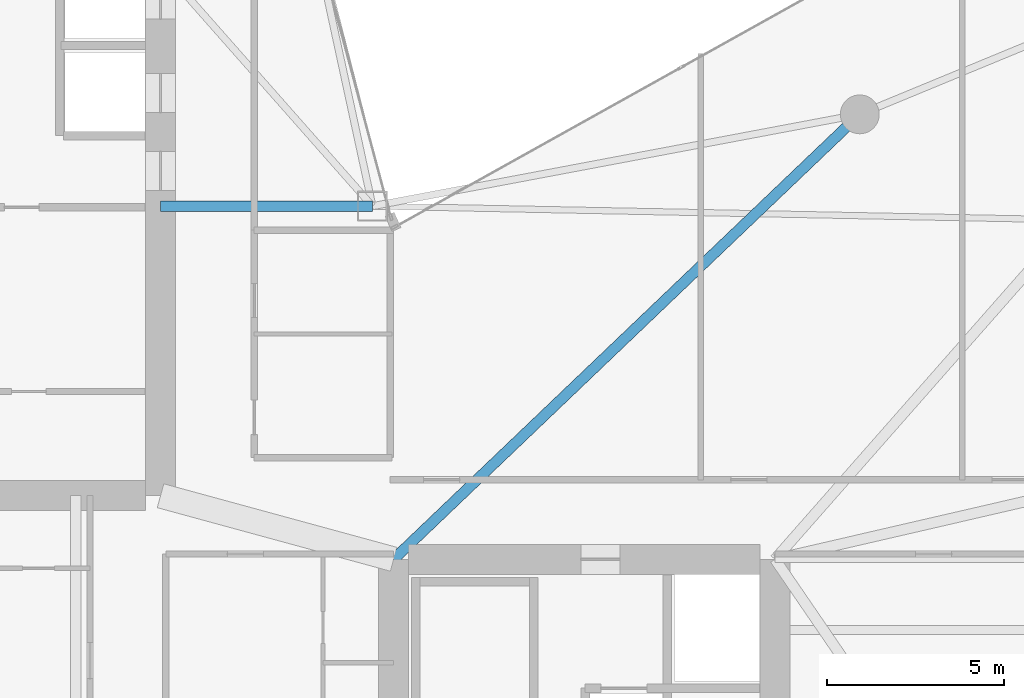
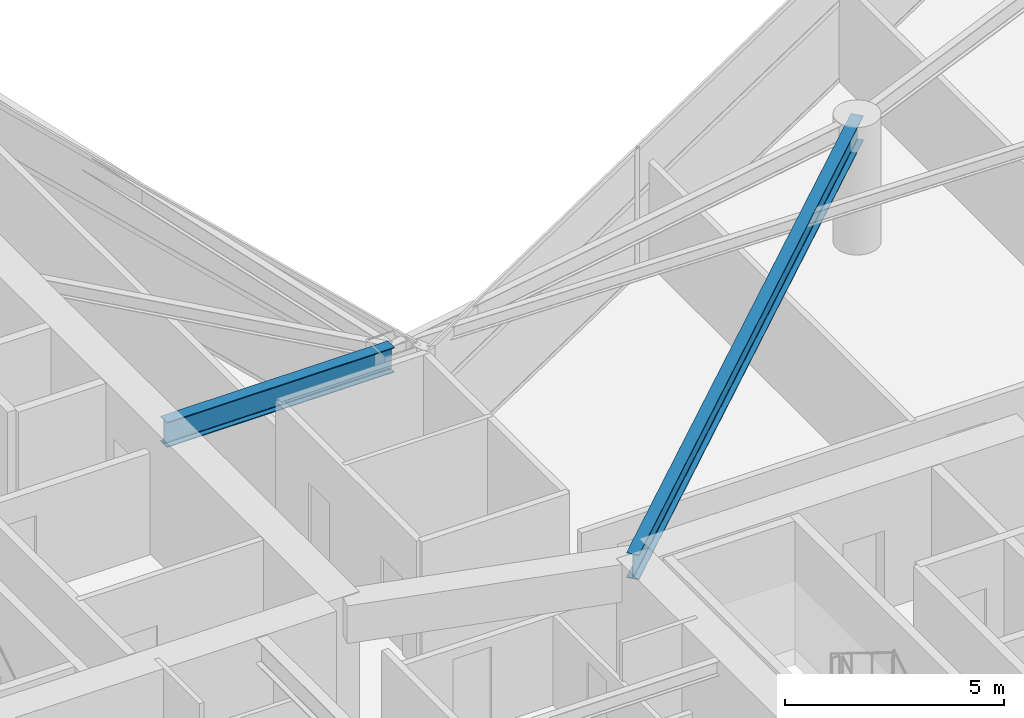
# One storey, part 9 of 28: 2 beams.
"""IFC4 building model written with IfcOpenShell, lengths in metres."""

import ifcopenshell
import ifcopenshell.guid

model = None  # the IFC model being written
_history = None  # IfcOwnerHistory: only IFC2X3 demands one
_inside = {}  # id of a spatial element -> (the spatial element, [elements in it])
_under = {}  # id of a project, library or spatial element -> (it, [spatial elements below it])
_declared = {}  # id of a project -> (the project, [libraries it declares])
_typed = {}  # id of a type object -> (the type object, [elements of that type])
_made_of = {}  # id of a material, layer set ... -> (it, [elements and type objects made of it])


def new_model(schema):
    """Start an empty IFC model of exactly this schema.

    Asked for "IFC4X3", IfcOpenShell would pick the latest addendum, in which some entities
    have other attributes; the version numbers below select the first issue.
    IFC2X3 requires an IfcOwnerHistory on every rooted entity: one is made here for all.
    """
    global model, _history
    if schema == "IFC4X3":
        model = ifcopenshell.file(schema_version=(4, 3, 0, 0))
    else:
        model = ifcopenshell.file(schema=schema)
    _inside.clear()
    _under.clear()
    _declared.clear()
    _typed.clear()
    _made_of.clear()
    _history = None
    if model.schema == "IFC2X3":
        org = make("IfcOrganization", Name="unknown")
        user = make(
            "IfcPersonAndOrganization",
            ThePerson=make("IfcPerson", FamilyName="unknown"),
            TheOrganization=org,
        )
        app = make(
            "IfcApplication",
            ApplicationDeveloper=org,
            Version="unknown",
            ApplicationFullName="unknown",
            ApplicationIdentifier="unknown",
        )
        _history = make(
            "IfcOwnerHistory",
            OwningUser=user,
            OwningApplication=app,
            ChangeAction="ADDED",
            CreationDate=0,
        )
    return model


def make(cls, **values):
    """One entity of the class cls with the attributes given. An attribute that is None is left unset."""
    return model.create_entity(
        cls, **{name: value for name, value in values.items() if value is not None}
    )


def rooted(cls, **values):
    """An entity with a GlobalId (a new one), such as an element, a storey or a relation."""
    return make(cls, GlobalId=ifcopenshell.guid.new(), OwnerHistory=_history, **values)


def si_unit(unit_type, name, prefix=None):
    """IfcSIUnit, for example si_unit("LENGTHUNIT", "METRE", prefix="MILLI")."""
    return make("IfcSIUnit", UnitType=unit_type, Prefix=prefix, Name=name)


def assignment(units):
    """IfcUnitAssignment: the units of a project."""
    return None if units is None else make("IfcUnitAssignment", Units=units)


def point(xyz):
    """IfcCartesianPoint."""
    return None if xyz is None else make("IfcCartesianPoint", Coordinates=xyz)


def direction(xyz):
    """IfcDirection."""
    return None if xyz is None else make("IfcDirection", DirectionRatios=xyz)


def frame(location, z_axis=None, x_axis=None):
    """IfcAxis2Placement3D, a coordinate frame: its origin and axes. An axis left out is left unset."""
    return make(
        "IfcAxis2Placement3D",
        Location=point(location),
        Axis=direction(z_axis),
        RefDirection=direction(x_axis),
    )


def frame_2d(location, x_axis=None):
    """IfcAxis2Placement2D, a coordinate frame in the plane: its origin and x axis."""
    return make(
        "IfcAxis2Placement2D", Location=point(location), RefDirection=direction(x_axis)
    )


def origin():
    """The frame at (0, 0, 0) with its axes left unset."""
    return frame((0.0, 0.0, 0.0))


def origin_2d():
    """The frame at (0, 0) in the plane with its x axis left unset."""
    return frame_2d((0.0, 0.0))


def place(relative_to, where):
    """IfcLocalPlacement: puts the frame where relative to a parent placement (None: the world)."""
    return make(
        "IfcLocalPlacement", PlacementRelTo=relative_to, RelativePlacement=where
    )


def context(
    kind, dimensions, precision=None, world=None, true_north=None, identifier=None
):
    """IfcGeometricRepresentationContext, for example the 3D "Model" context."""
    return make(
        "IfcGeometricRepresentationContext",
        ContextIdentifier=identifier,
        ContextType=kind,
        CoordinateSpaceDimension=dimensions,
        Precision=precision,
        WorldCoordinateSystem=world,
        TrueNorth=true_north,
    )


def subcontext(parent, identifier, kind, view, scale=None):
    """IfcGeometricRepresentationSubContext, for example "Body" below "Model"."""
    return make(
        "IfcGeometricRepresentationSubContext",
        ContextIdentifier=identifier,
        ContextType=kind,
        ParentContext=parent,
        TargetScale=scale,
        TargetView=view,
    )


def project(units=None, contexts=None):
    """IfcProject with its units and contexts."""
    return rooted(
        "IfcProject",
        Name="project",
        RepresentationContexts=contexts,
        UnitsInContext=assignment(units),
    )


def spatial(cls, under=None, at=None, **own):
    """A site, building, storey or space (cls), placed at a placement, below another one or the project."""
    s = rooted(cls, ObjectPlacement=at, **own)
    if under is not None:
        _under.setdefault(under.id(), (under, []))[1].append(s)
    return s


def profile(cls, at=None, kind="AREA", **sizes):
    """A parametric profile (cls). Its sizes go by their IFC names, for example OverallWidth=200.0."""
    return make(cls, ProfileType=kind, Position=at, **sizes)


def i_section(**sizes):
    """IfcIShapeProfileDef."""
    return profile("IfcIShapeProfileDef", **sizes)


def extrude(swept, where, along, depth):
    """IfcExtrudedAreaSolid: the profile swept, set in the frame where, extruded along a direction by depth."""
    return make(
        "IfcExtrudedAreaSolid",
        SweptArea=swept,
        Position=where,
        ExtrudedDirection=direction(along),
        Depth=depth,
    )


def shape(context_of_items, identifier, shape_type, items):
    """IfcShapeRepresentation: the items that make up one representation, for example the "Body"."""
    return make(
        "IfcShapeRepresentation",
        ContextOfItems=context_of_items,
        RepresentationIdentifier=identifier,
        RepresentationType=shape_type,
        Items=items,
    )


def material(Name=None, Category=None):
    """IfcMaterial."""
    return make("IfcMaterial", Name=Name, Category=Category)


def material_profile(
    of_material, cross_section, Name=None, Category=None, Priority=None
):
    """IfcMaterialProfile: a cross section and its material."""
    return make(
        "IfcMaterialProfile",
        Name=Name,
        Material=of_material,
        Profile=cross_section,
        Priority=Priority,
        Category=Category,
    )


def profile_set(profiles, Name=None, composite=None):
    """IfcMaterialProfileSet."""
    return make(
        "IfcMaterialProfileSet",
        Name=Name,
        MaterialProfiles=profiles,
        CompositeProfile=composite,
    )


def made_of(thing, what):
    """Note that an element or type object is made of a material, layer set ...; save() writes the relation."""
    if what is not None:
        _made_of.setdefault(what.id(), (what, []))[1].append(thing)
    return thing


def type_object(cls, material=None, **own):
    """A type object (cls), such as IfcWallType, which elements share."""
    return made_of(rooted(cls, **own), material)


def element(
    cls,
    number,
    at=None,
    inside=None,
    cuts=None,
    type_object=None,
    material=None,
    context=None,
    identifier="Body",
    shape_type=None,
    held_by="IfcProductDefinitionShape",
    body=None,
    shapes=None,
    **own,
):
    """One element of the class cls, such as IfcWall. Its Tag is "e" and its number.

    at: its placement. inside: the storey or other place that contains it. cuts: it is an
    opening in that element (IfcRelVoidsElement). A single representation is given by context,
    identifier, shape_type and body (its items); several are given by shapes. held_by: the class
    of the entity that holds the representations. save() writes the other relations.
    """
    e = rooted(cls, Tag="e%d" % number, ObjectPlacement=at, **own)
    if body is not None:
        shapes = [shape(context, identifier, shape_type, body)]
    if shapes is not None:
        e.Representation = make(held_by, Representations=shapes)
    if inside is not None:
        _inside.setdefault(inside.id(), (inside, []))[1].append(e)
    if cuts is not None:
        rooted(
            "IfcRelVoidsElement", RelatingBuildingElement=cuts, RelatedOpeningElement=e
        )
    if type_object is not None:
        _typed.setdefault(type_object.id(), (type_object, []))[1].append(e)
    return made_of(e, material)


def aggregate(whole, parts):
    """IfcRelAggregates: a whole, such as a stair, and the parts it consists of."""
    return rooted("IfcRelAggregates", RelatingObject=whole, RelatedObjects=parts)


def save(model, path):
    """Write the relations noted so far, then the file.

    IfcRelAggregates (storeys below a building ...), IfcRelContainedInSpatialStructure (elements
    in a storey), IfcRelDefinesByType, IfcRelAssociatesMaterial and IfcRelDeclares: one each for
    every whole, place, type object, material and project.
    """
    for whole, parts in _under.values():
        aggregate(whole, parts)
    for where, things in _inside.values():
        rooted(
            "IfcRelContainedInSpatialStructure",
            RelatedElements=things,
            RelatingStructure=where,
        )
    for kind, things in _typed.values():
        rooted("IfcRelDefinesByType", RelatedObjects=things, RelatingType=kind)
    for what, things in _made_of.values():
        rooted("IfcRelAssociatesMaterial", RelatedObjects=things, RelatingMaterial=what)
    for by, libraries in _declared.values():
        rooted("IfcRelDeclares", RelatingContext=by, RelatedDefinitions=libraries)
    model.write(path)


model = new_model("IFC4")

# Units and contexts
model_context = context("Model", 3, precision=1e-05, world=origin(), true_north=direction((0.0, 1.0)))
body_context = subcontext(model_context, "Body", "Model", "MODEL_VIEW")
ifc_project = project(units=[si_unit("LENGTHUNIT", "METRE"), si_unit("AREAUNIT", "SQUARE_METRE"), si_unit("VOLUMEUNIT", "CUBIC_METRE"), si_unit("PLANEANGLEUNIT", "RADIAN"), si_unit("MASSUNIT", "GRAM", prefix="KILO")], contexts=[model_context])

# Site, building, storey
site_placement = place(None, origin())
site = spatial("IfcSite", under=ifc_project, at=site_placement, CompositionType="ELEMENT")
building_placement = place(site_placement, origin())
building = spatial("IfcBuilding", under=site, at=building_placement, Name="Calvorn Quay Hotel", CompositionType="ELEMENT")
storey_placement = place(building_placement, frame((0.0, 0.0, 97.39990234375)))
storey = spatial("IfcBuildingStorey", under=building, at=storey_placement, Name="L23", CompositionType="ELEMENT", Elevation=97.39990234375)

# Beams
ifc_material = material(Name="Steel Q390GJC", Category="steel")
ifc_material_profile = material_profile(ifc_material, i_section(OverallWidth=0.300048828125, OverallDepth=0.699951171875, WebThickness=0.012939453125, FlangeThickness=0.02392578125, FilletRadius=0.02392578125, at=origin_2d()), Name="HN700x300x13x24")
ifc_profile_set = profile_set([ifc_material_profile], Name="Steel Q390GJC")
beam_type = type_object("IfcBeamType", Name="BM-GIRD-MAIN", PredefinedType="BEAM", material=ifc_profile_set)
beam_1_placement = place(storey_placement, frame((21.0, 25.0, 3.190185546875), z_axis=(-1.0, 0.0, 0.0), x_axis=(0.0, -1.0, 0.0)))
element("IfcBeam", 1, at=beam_1_placement, inside=storey, type_object=beam_type, Name="Beam BG-L23-W7", PredefinedType="BEAM", context=body_context, shape_type="SweptSolid", body=[
    extrude(i_section(OverallWidth=0.300048828125, OverallDepth=0.699951171875, WebThickness=0.012939453125, FlangeThickness=0.02392578125, FilletRadius=0.02392578125, at=origin_2d()), origin(), (0.0, 0.0, 1.0), 6.0),
])
beam_2_placement = place(storey_placement, frame((21.60009765625, 15.0, 3.190185546875), z_axis=(0.723351595578, 0.690479883252, 0.0), x_axis=(-0.690479883252, 0.723351595578, 0.0)))
element("IfcBeam", 2, at=beam_2_placement, inside=storey, type_object=beam_type, Name="Beam BG-L23-E4", PredefinedType="BEAM", context=body_context, shape_type="SweptSolid", body=[
    extrude(i_section(OverallWidth=0.300048828125, OverallDepth=0.699951171875, WebThickness=0.012939453125, FlangeThickness=0.02392578125, FilletRadius=0.02392578125, at=origin_2d()), origin(), (0.0, 0.0, 1.0), 18.248291015625),
])

save(model, "model.ifc")
